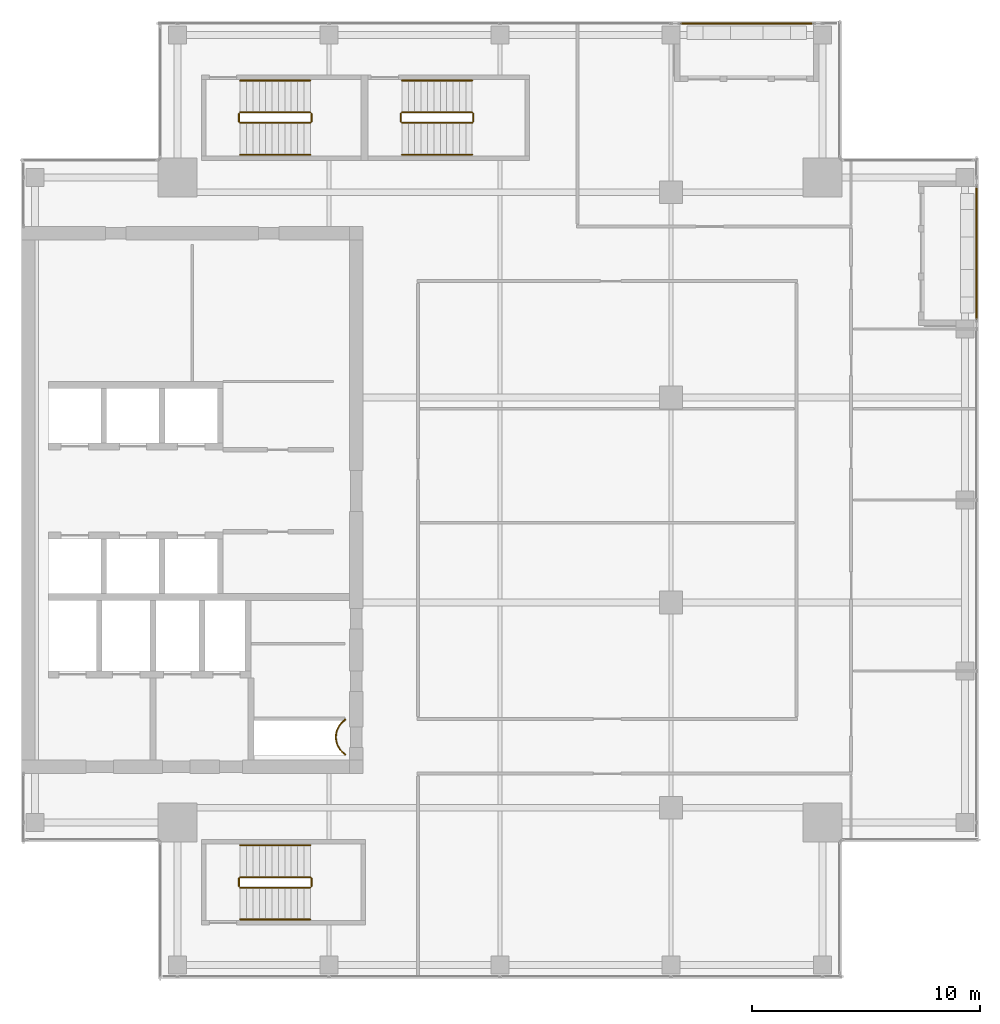
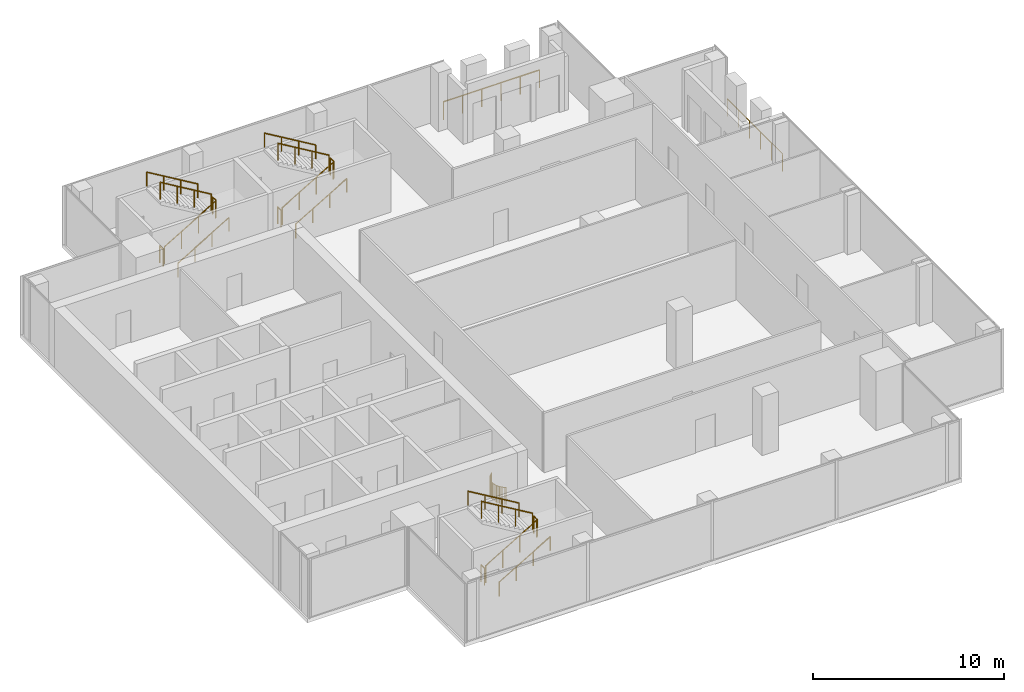
# One storey, part 28 of 29: 21 railings.
"""IFC4 building model written with IfcOpenShell, lengths in metres."""

from ifc_helpers import new_model, si_unit, direction, frame, origin, origin_2d, place, context, subcontext, project, spatial, circle, extrude, source, transform, mapped, material, type_object, element, save


model = new_model("IFC4")

# Units and contexts
model_context = context("Model", 3, precision=1e-05, world=origin(), true_north=direction((0.0, 1.0)))
body_context = subcontext(model_context, "Body", "Model", "MODEL_VIEW")
ifc_project = project(units=[si_unit("LENGTHUNIT", "METRE"), si_unit("AREAUNIT", "SQUARE_METRE"), si_unit("VOLUMEUNIT", "CUBIC_METRE"), si_unit("PLANEANGLEUNIT", "RADIAN"), si_unit("MASSUNIT", "GRAM", prefix="KILO")], contexts=[model_context])

# Site, building, storey
site_placement = place(None, origin())
site = spatial("IfcSite", under=ifc_project, at=site_placement, CompositionType="ELEMENT")
building_placement = place(site_placement, origin())
building = spatial("IfcBuilding", under=site, at=building_placement, Name="Khomas Fold Tower", CompositionType="ELEMENT")
storey_placement = place(building_placement, frame((0.0, 0.0, 314.199951171875)))
storey = spatial("IfcBuildingStorey", under=building, at=storey_placement, Name="L71", CompositionType="ELEMENT", Elevation=314.199951171875)

# Railings
ifc_material_1 = material(Name="Powder-coated steel", Category="steel")
railing_type_1 = type_object("IfcRailingType", Name="Balcony guard", PredefinedType="GUARDRAIL", material=ifc_material_1)
shared_shape_1 = source(origin(), body_context, "Body", "SweptSolid", [
    extrude(circle(Radius=0.02490234375, at=origin_2d()), frame((0.0, 0.0, 1.125), z_axis=(1.0, 0.0, 0.0), x_axis=(0.0, 1.0, 0.0)), (0.0, 0.0, 1.0), 5.7900390625),
    extrude(circle(Radius=0.02001953125, at=origin_2d()), origin(), (0.0, 0.0, 1.0), 1.099853515625),
    extrude(circle(Radius=0.02001953125, at=origin_2d()), frame((1.157958984375, 0.0, 0.0)), (0.0, 0.0, 1.0), 1.099853515625),
    extrude(circle(Radius=0.02001953125, at=origin_2d()), frame((2.31591796875, 0.0, 0.0)), (0.0, 0.0, 1.0), 1.099853515625),
    extrude(circle(Radius=0.02001953125, at=origin_2d()), frame((3.47412109375, 0.0, 0.0)), (0.0, 0.0, 1.0), 1.099853515625),
    extrude(circle(Radius=0.02001953125, at=origin_2d()), frame((4.632080078125, 0.0, 0.0)), (0.0, 0.0, 1.0), 1.099853515625),
    extrude(circle(Radius=0.02001953125, at=origin_2d()), frame((5.7900390625, 0.0, 0.0)), (0.0, 0.0, 1.0), 1.099853515625),
])
railing_1_placement = place(storey_placement, frame((34.929931640625, 47.89990234375, -0.044921875)))
element("IfcRailing", 1, at=railing_1_placement, inside=storey, type_object=railing_type_1, Name="Balcony guard BAL-L71-N4", PredefinedType="GUARDRAIL", context=body_context, shape_type="MappedRepresentation", body=[
    mapped(shared_shape_1, transform((0.0, 0.0, 0.0))),
])
shared_shape_2 = source(origin(), body_context, "Body", "SweptSolid", [
    extrude(circle(Radius=0.02490234375, at=origin_2d()), frame((0.0, 0.0, 1.125), z_axis=(0.0, 1.0, 0.0), x_axis=(-1.0, 0.0, 0.0)), (0.0, 0.0, 1.0), 5.7900390625),
    extrude(circle(Radius=0.02001953125, at=origin_2d()), origin(), (0.0, 0.0, 1.0), 1.099853515625),
    extrude(circle(Radius=0.02001953125, at=origin_2d()), frame((0.0, 1.157958984375, 0.0)), (0.0, 0.0, 1.0), 1.099853515625),
    extrude(circle(Radius=0.02001953125, at=origin_2d()), frame((0.0, 2.31591796875, 0.0)), (0.0, 0.0, 1.0), 1.099853515625),
    extrude(circle(Radius=0.02001953125, at=origin_2d()), frame((0.0, 3.47412109375, 0.0)), (0.0, 0.0, 1.0), 1.099853515625),
    extrude(circle(Radius=0.02001953125, at=origin_2d()), frame((0.0, 4.632080078125, 0.0)), (0.0, 0.0, 1.0), 1.099853515625),
    extrude(circle(Radius=0.02001953125, at=origin_2d()), frame((0.0, 5.7900390625, 0.0)), (0.0, 0.0, 1.0), 1.099853515625),
])
railing_2_placement = place(storey_placement, frame((47.89990234375, 34.929931640625, -0.044921875)))
element("IfcRailing", 2, at=railing_2_placement, inside=storey, type_object=railing_type_1, Name="Balcony guard BAL-L71-E4", PredefinedType="GUARDRAIL", context=body_context, shape_type="MappedRepresentation", body=[
    mapped(shared_shape_2, transform((0.0, 0.0, 0.0))),
])
ifc_material_2 = material(Name="Steel balustrade", Category="steel")
railing_type_2 = type_object("IfcRailingType", Name="Stair guard", PredefinedType="GUARDRAIL", material=ifc_material_2)
shared_shape_3 = source(origin(), body_context, "Body", "SweptSolid", [
    extrude(circle(Radius=0.02392578125, at=origin_2d()), frame((0.0, 0.0, 1.076171875), z_axis=(0.0, 1.0, 0.0), x_axis=(-1.0, 0.0, 0.0)), (0.0, 0.0, 1.0), 0.349853515625),
    extrude(circle(Radius=0.02099609375, at=origin_2d()), origin(), (0.0, 0.0, 1.0), 1.052001953125),
    extrude(circle(Radius=0.02099609375, at=origin_2d()), frame((0.0, 0.349853515625, 0.0)), (0.0, 0.0, 1.0), 1.052001953125),
])
for number, where, name in (
    (3, (18.72998046875, 43.60009765625, 2.0), "L71 ST1 stair guard 2"),
    (4, (15.550048828125, 43.60009765625, 0.0), "L71 ST1 stair guard 4"),
    (5, (18.72998046875, 10.050048828125, 2.0), "L71 ST2 stair guard 2"),
    (6, (15.550048828125, 10.050048828125, 0.0), "L71 ST2 stair guard 4"),
    (7, (25.830078125, 43.60009765625, 2.0), "L71 ST3 stair guard 2"),
    (8, (22.64990234375, 43.60009765625, 0.0), "L71 ST3 stair guard 4"),
):
    element("IfcRailing", number, at=place(storey_placement, frame(where)), inside=storey, type_object=railing_type_2, Name=name, PredefinedType="GUARDRAIL", context=body_context, shape_type="MappedRepresentation", body=[
        mapped(shared_shape_3, transform((0.0, 0.0, 0.0))),
    ])
shared_shape_4 = source(origin(), body_context, "Body", "SweptSolid", [
    extrude(circle(Radius=0.02392578125, at=origin_2d()), frame((0.0, 0.0, 1.076171875), z_axis=(0.859290745958, 0.0, 0.51148745235), x_axis=(0.0, 1.0, 0.0)), (0.0, 0.0, 1.0), 3.584228515625),
    extrude(circle(Radius=0.02099609375, at=origin_2d()), origin(), (0.0, 0.0, 1.0), 1.052001953125),
    extrude(circle(Radius=0.02099609375, at=origin_2d()), frame((1.026611328125, 0.0, 0.611083984375)), (0.0, 0.0, 1.0), 1.052001953125),
    extrude(circle(Radius=0.02099609375, at=origin_2d()), frame((2.05322265625, 0.0, 1.22216796875)), (0.0, 0.0, 1.0), 1.052001953125),
    extrude(circle(Radius=0.02099609375, at=origin_2d()), frame((3.079833984375, 0.0, 1.833251953125)), (0.0, 0.0, 1.0), 1.052001953125),
])
for number, where, name in (
    (9, (15.60009765625, 43.550048828125, 0.166748046875), "L71 ST1 stair guard 1"),
    (10, (15.60009765625, 10.0, 0.166748046875), "L71 ST2 stair guard 1"),
):
    element("IfcRailing", number, at=place(storey_placement, frame(where)), inside=storey, type_object=railing_type_2, Name=name, PredefinedType="GUARDRAIL", context=body_context, shape_type="MappedRepresentation", body=[
        mapped(shared_shape_4, transform((0.0, 0.0, 0.0))),
    ])
shared_shape_5 = source(origin(), body_context, "Body", "SweptSolid", [
    extrude(circle(Radius=0.02392578125, at=origin_2d()), frame((0.0, 0.0, 1.076171875), z_axis=(-0.859290745958, 0.0, 0.51148745235), x_axis=(0.0, -1.0, 0.0)), (0.0, 0.0, 1.0), 3.584228515625),
    extrude(circle(Radius=0.02099609375, at=origin_2d()), origin(), (0.0, 0.0, 1.0), 1.052001953125),
    extrude(circle(Radius=0.02099609375, at=origin_2d()), frame((-1.026611328125, 0.0, 0.611083984375)), (0.0, 0.0, 1.0), 1.052001953125),
    extrude(circle(Radius=0.02099609375, at=origin_2d()), frame((-2.05322265625, 0.0, 1.22216796875)), (0.0, 0.0, 1.0), 1.052001953125),
    extrude(circle(Radius=0.02099609375, at=origin_2d()), frame((-3.079833984375, 0.0, 1.833251953125)), (0.0, 0.0, 1.0), 1.052001953125),
])
for number, where, name in (
    (11, (18.679931640625, 44.0, 2.166748046875), "L71 ST1 stair guard 3"),
    (12, (18.679931640625, 10.449951171875, 2.166748046875), "L71 ST2 stair guard 3"),
):
    element("IfcRailing", number, at=place(storey_placement, frame(where)), inside=storey, type_object=railing_type_2, Name=name, PredefinedType="GUARDRAIL", context=body_context, shape_type="MappedRepresentation", body=[
        mapped(shared_shape_5, transform((0.0, 0.0, 0.0))),
    ])
ifc_material_3 = material(Name="Steel handrail", Category="steel")
railing_type_3 = type_object("IfcRailingType", Name="Stair handrail", PredefinedType="HANDRAIL", material=ifc_material_3)
shared_shape_6 = source(origin(), body_context, "Body", "SweptSolid", [
    extrude(circle(Radius=0.02392578125, at=origin_2d()), frame((0.0, 0.0, 0.8759765625), z_axis=(0.859290745958, 0.0, 0.51148745235), x_axis=(0.0, 1.0, 0.0)), (0.0, 0.0, 1.0), 3.584228515625),
    extrude(circle(Radius=0.02099609375, at=origin_2d()), origin(), (0.0, 0.0, 1.0), 0.851806640625),
    extrude(circle(Radius=0.02099609375, at=origin_2d()), frame((1.026611328125, 0.0, 0.611083984375)), (0.0, 0.0, 1.0), 0.851806640625),
    extrude(circle(Radius=0.02099609375, at=origin_2d()), frame((2.05322265625, 0.0, 1.22216796875)), (0.0, 0.0, 1.0), 0.851806640625),
    extrude(circle(Radius=0.02099609375, at=origin_2d()), frame((3.079833984375, 0.0, 1.833251953125)), (0.0, 0.0, 1.0), 0.851806640625),
])
for number, where, name in (
    (13, (15.60009765625, 42.14990234375, 0.166748046875), "L71 ST1 stair handrail 1"),
    (14, (15.60009765625, 8.60009765625, 0.166748046875), "L71 ST2 stair handrail 1"),
):
    element("IfcRailing", number, at=place(storey_placement, frame(where)), inside=storey, type_object=railing_type_3, Name=name, PredefinedType="HANDRAIL", context=body_context, shape_type="MappedRepresentation", body=[
        mapped(shared_shape_6, transform((0.0, 0.0, 0.0))),
    ])
shared_shape_7 = source(origin(), body_context, "Body", "SweptSolid", [
    extrude(circle(Radius=0.02392578125, at=origin_2d()), frame((0.0, 0.0, 0.8759765625), z_axis=(-0.859290745958, 0.0, 0.51148745235), x_axis=(0.0, -1.0, 0.0)), (0.0, 0.0, 1.0), 3.584228515625),
    extrude(circle(Radius=0.02099609375, at=origin_2d()), origin(), (0.0, 0.0, 1.0), 0.851806640625),
    extrude(circle(Radius=0.02099609375, at=origin_2d()), frame((-1.026611328125, 0.0, 0.611083984375)), (0.0, 0.0, 1.0), 0.851806640625),
    extrude(circle(Radius=0.02099609375, at=origin_2d()), frame((-2.05322265625, 0.0, 1.22216796875)), (0.0, 0.0, 1.0), 0.851806640625),
    extrude(circle(Radius=0.02099609375, at=origin_2d()), frame((-3.079833984375, 0.0, 1.833251953125)), (0.0, 0.0, 1.0), 0.851806640625),
])
for number, where, name in (
    (15, (18.679931640625, 45.39990234375, 2.166748046875), "L71 ST1 stair handrail 2"),
    (16, (18.679931640625, 11.85009765625, 2.166748046875), "L71 ST2 stair handrail 2"),
):
    element("IfcRailing", number, at=place(storey_placement, frame(where)), inside=storey, type_object=railing_type_3, Name=name, PredefinedType="HANDRAIL", context=body_context, shape_type="MappedRepresentation", body=[
        mapped(shared_shape_7, transform((0.0, 0.0, 0.0))),
    ])
shared_shape_8 = source(origin(), body_context, "Body", "SweptSolid", [
    extrude(circle(Radius=0.02392578125, at=origin_2d()), frame((0.0, 0.0, 1.076171875), z_axis=(0.859308565015, 0.0, 0.511457515432), x_axis=(0.0, 1.0, 0.0)), (0.0, 0.0, 1.0), 3.58447265625),
    extrude(circle(Radius=0.02099609375, at=origin_2d()), origin(), (0.0, 0.0, 1.0), 1.052001953125),
    extrude(circle(Radius=0.02099609375, at=origin_2d()), frame((1.026611328125, 0.0, 0.611083984375)), (0.0, 0.0, 1.0), 1.052001953125),
    extrude(circle(Radius=0.02099609375, at=origin_2d()), frame((2.053466796875, 0.0, 1.22216796875)), (0.0, 0.0, 1.0), 1.052001953125),
    extrude(circle(Radius=0.02099609375, at=origin_2d()), frame((3.080078125, 0.0, 1.833251953125)), (0.0, 0.0, 1.0), 1.052001953125),
])
railing_3_placement = place(storey_placement, frame((22.699951171875, 43.550048828125, 0.166748046875)))
element("IfcRailing", 17, at=railing_3_placement, inside=storey, type_object=railing_type_2, Name="L71 ST3 stair guard 1", PredefinedType="GUARDRAIL", context=body_context, shape_type="MappedRepresentation", body=[
    mapped(shared_shape_8, transform((0.0, 0.0, 0.0))),
])
shared_shape_9 = source(origin(), body_context, "Body", "SweptSolid", [
    extrude(circle(Radius=0.02392578125, at=origin_2d()), frame((0.0, 0.0, 1.076171875), z_axis=(-0.859308565015, 0.0, 0.511457515432), x_axis=(0.0, -1.0, 0.0)), (0.0, 0.0, 1.0), 3.58447265625),
    extrude(circle(Radius=0.02099609375, at=origin_2d()), origin(), (0.0, 0.0, 1.0), 1.052001953125),
    extrude(circle(Radius=0.02099609375, at=origin_2d()), frame((-1.026611328125, 0.0, 0.611083984375)), (0.0, 0.0, 1.0), 1.052001953125),
    extrude(circle(Radius=0.02099609375, at=origin_2d()), frame((-2.053466796875, 0.0, 1.22216796875)), (0.0, 0.0, 1.0), 1.052001953125),
    extrude(circle(Radius=0.02099609375, at=origin_2d()), frame((-3.080078125, 0.0, 1.833251953125)), (0.0, 0.0, 1.0), 1.052001953125),
])
railing_4_placement = place(storey_placement, frame((25.780029296875, 44.0, 2.166748046875)))
element("IfcRailing", 18, at=railing_4_placement, inside=storey, type_object=railing_type_2, Name="L71 ST3 stair guard 3", PredefinedType="GUARDRAIL", context=body_context, shape_type="MappedRepresentation", body=[
    mapped(shared_shape_9, transform((0.0, 0.0, 0.0))),
])
shared_shape_10 = source(origin(), body_context, "Body", "SweptSolid", [
    extrude(circle(Radius=0.02392578125, at=origin_2d()), frame((0.0, 0.0, 0.8759765625), z_axis=(0.859308565015, 0.0, 0.511457515432), x_axis=(0.0, 1.0, 0.0)), (0.0, 0.0, 1.0), 3.58447265625),
    extrude(circle(Radius=0.02099609375, at=origin_2d()), origin(), (0.0, 0.0, 1.0), 0.851806640625),
    extrude(circle(Radius=0.02099609375, at=origin_2d()), frame((1.026611328125, 0.0, 0.611083984375)), (0.0, 0.0, 1.0), 0.851806640625),
    extrude(circle(Radius=0.02099609375, at=origin_2d()), frame((2.053466796875, 0.0, 1.22216796875)), (0.0, 0.0, 1.0), 0.851806640625),
    extrude(circle(Radius=0.02099609375, at=origin_2d()), frame((3.080078125, 0.0, 1.833251953125)), (0.0, 0.0, 1.0), 0.851806640625),
])
railing_5_placement = place(storey_placement, frame((22.699951171875, 42.14990234375, 0.166748046875)))
element("IfcRailing", 19, at=railing_5_placement, inside=storey, type_object=railing_type_3, Name="L71 ST3 stair handrail 1", PredefinedType="HANDRAIL", context=body_context, shape_type="MappedRepresentation", body=[
    mapped(shared_shape_10, transform((0.0, 0.0, 0.0))),
])
shared_shape_11 = source(origin(), body_context, "Body", "SweptSolid", [
    extrude(circle(Radius=0.02392578125, at=origin_2d()), frame((0.0, 0.0, 0.8759765625), z_axis=(-0.859308565015, 0.0, 0.511457515432), x_axis=(0.0, -1.0, 0.0)), (0.0, 0.0, 1.0), 3.58447265625),
    extrude(circle(Radius=0.02099609375, at=origin_2d()), origin(), (0.0, 0.0, 1.0), 0.851806640625),
    extrude(circle(Radius=0.02099609375, at=origin_2d()), frame((-1.026611328125, 0.0, 0.611083984375)), (0.0, 0.0, 1.0), 0.851806640625),
    extrude(circle(Radius=0.02099609375, at=origin_2d()), frame((-2.053466796875, 0.0, 1.22216796875)), (0.0, 0.0, 1.0), 0.851806640625),
    extrude(circle(Radius=0.02099609375, at=origin_2d()), frame((-3.080078125, 0.0, 1.833251953125)), (0.0, 0.0, 1.0), 0.851806640625),
])
railing_6_placement = place(storey_placement, frame((25.780029296875, 45.39990234375, 2.166748046875)))
element("IfcRailing", 20, at=railing_6_placement, inside=storey, type_object=railing_type_3, Name="L71 ST3 stair handrail 2", PredefinedType="HANDRAIL", context=body_context, shape_type="MappedRepresentation", body=[
    mapped(shared_shape_11, transform((0.0, 0.0, 0.0))),
])
ifc_material_4 = material(Name="Steel balustrade", Category="steel")
railing_type_4 = type_object("IfcRailingType", Name="Shaft guard", PredefinedType="GUARDRAIL", material=ifc_material_4)
shared_shape_12 = source(origin(), body_context, "Body", "SweptSolid", [
    extrude(circle(Radius=0.02490234375, at=origin_2d()), frame((0.0, 0.0, 1.0751953125), z_axis=(0.0, -1.0, 0.0), x_axis=(1.0, 0.0, 0.0)), (0.0, 0.0, 1.0), 0.034912109375),
    extrude(circle(Radius=0.02490234375, at=origin_2d()), frame((0.0, -0.034912109375, 1.0751953125), z_axis=(-0.802970227885, -0.596019138224, 0.0), x_axis=(0.596019138224, -0.802970227885, 0.0)), (0.0, 0.0, 1.0), 0.08837890625),
    extrude(circle(Radius=0.02490234375, at=origin_2d()), frame((-0.071044921875, -0.087646484375, 1.0751953125), z_axis=(-0.739563952942, -0.673086294251, 0.0), x_axis=(0.673086294251, -0.739563952942, 0.0)), (0.0, 0.0, 1.0), 0.088134765625),
    extrude(circle(Radius=0.02490234375, at=origin_2d()), frame((-0.13623046875, -0.14697265625, 1.0751953125), z_axis=(-0.671709119666, -0.740814996175, 0.0), x_axis=(0.740814996175, -0.671709119666, 0.0)), (0.0, 0.0, 1.0), 0.08837890625),
    extrude(circle(Radius=0.02490234375, at=origin_2d()), frame((-0.195556640625, -0.21240234375, 1.0751953125), z_axis=(-0.597341843489, -0.801986734315, 0.0), x_axis=(0.801986734315, -0.597341843489, 0.0)), (0.0, 0.0, 1.0), 0.08837890625),
    extrude(circle(Radius=0.02490234375, at=origin_2d()), frame((-0.248291015625, -0.283203125, 1.0751953125), z_axis=(-0.514495755428, -0.857492925713, 0.0), x_axis=(0.857492925713, -0.514495755428, 0.0)), (0.0, 0.0, 1.0), 0.08837890625),
    extrude(circle(Radius=0.02490234375, at=origin_2d()), frame((-0.293701171875, -0.35888671875, 1.0751953125), z_axis=(-0.427256721383, -0.904130352346, 0.0), x_axis=(0.904130352346, -0.427256721383, 0.0)), (0.0, 0.0, 1.0), 0.088623046875),
    extrude(circle(Radius=0.02490234375, at=origin_2d()), frame((-0.33154296875, -0.43896484375, 1.0751953125), z_axis=(-0.335282981086, -0.942117467514, 0.0), x_axis=(0.942117467514, -0.335282981086, 0.0)), (0.0, 0.0, 1.0), 0.088134765625),
    extrude(circle(Radius=0.02490234375, at=origin_2d()), frame((-0.361083984375, -0.52197265625, 1.0751953125), z_axis=(-0.243185799972, -0.969979724887, 0.0), x_axis=(0.969979724887, -0.243185799972, 0.0)), (0.0, 0.0, 1.0), 0.08837890625),
    extrude(circle(Radius=0.02490234375, at=origin_2d()), frame((-0.382568359375, -0.607666015625, 1.0751953125), z_axis=(-0.149150785005, -0.988814463553, 0.0), x_axis=(0.988814463553, -0.149150785005, 0.0)), (0.0, 0.0, 1.0), 0.08837890625),
    extrude(circle(Radius=0.02490234375, at=origin_2d()), frame((-0.395751953125, -0.695068359375, 1.0751953125), z_axis=(-0.047039284441, -0.99889304018, 0.0), x_axis=(0.99889304018, -0.047039284441, 0.0)), (0.0, 0.0, 1.0), 0.088134765625),
    extrude(circle(Radius=0.02490234375, at=origin_2d()), frame((-0.39990234375, -0.783203125, 1.0751953125), z_axis=(0.046909628002, -0.998899137451, 0.0), x_axis=(0.998899137451, 0.046909628002, 0.0)), (0.0, 0.0, 1.0), 0.08837890625),
    extrude(circle(Radius=0.02490234375, at=origin_2d()), frame((-0.395751953125, -0.87158203125, 1.0751953125), z_axis=(0.149150785005, -0.988814463553, 0.0), x_axis=(0.988814463553, 0.149150785005, 0.0)), (0.0, 0.0, 1.0), 0.08837890625),
    extrude(circle(Radius=0.02490234375, at=origin_2d()), frame((-0.382568359375, -0.958984375, 1.0751953125), z_axis=(0.243185799972, -0.969979724887, 0.0), x_axis=(0.969979724887, 0.243185799972, 0.0)), (0.0, 0.0, 1.0), 0.08837890625),
    extrude(circle(Radius=0.02490234375, at=origin_2d()), frame((-0.361083984375, -1.044677734375, 1.0751953125), z_axis=(0.335282981086, -0.942117467514, 0.0), x_axis=(0.942117467514, 0.335282981086, 0.0)), (0.0, 0.0, 1.0), 0.088134765625),
    extrude(circle(Radius=0.02490234375, at=origin_2d()), frame((-0.33154296875, -1.127685546875, 1.0751953125), z_axis=(0.428323905606, -0.903625271828, 0.0), x_axis=(0.903625271828, 0.428323905606, 0.0)), (0.0, 0.0, 1.0), 0.08837890625),
    extrude(circle(Radius=0.02490234375, at=origin_2d()), frame((-0.293701171875, -1.20751953125, 1.0751953125), z_axis=(0.514495755428, -0.857492925713, 0.0), x_axis=(0.857492925713, 0.514495755428, 0.0)), (0.0, 0.0, 1.0), 0.08837890625),
    extrude(circle(Radius=0.02490234375, at=origin_2d()), frame((-0.248291015625, -1.283203125, 1.0751953125), z_axis=(0.596019138224, -0.802970227885, 0.0), x_axis=(0.802970227885, 0.596019138224, 0.0)), (0.0, 0.0, 1.0), 0.08837890625),
    extrude(circle(Radius=0.02490234375, at=origin_2d()), frame((-0.195556640625, -1.354248046875, 1.0751953125), z_axis=(0.671709119666, -0.740814996175, 0.0), x_axis=(0.740814996175, 0.671709119666, 0.0)), (0.0, 0.0, 1.0), 0.08837890625),
    extrude(circle(Radius=0.02490234375, at=origin_2d()), frame((-0.13623046875, -1.419677734375, 1.0751953125), z_axis=(0.739563952942, -0.673086294251, 0.0), x_axis=(0.673086294251, 0.739563952942, 0.0)), (0.0, 0.0, 1.0), 0.088134765625),
    extrude(circle(Radius=0.02490234375, at=origin_2d()), frame((-0.071044921875, -1.47900390625, 1.0751953125), z_axis=(0.804291006819, -0.594235623595, 0.0), x_axis=(0.594235623595, 0.804291006819, 0.0)), (0.0, 0.0, 1.0), 0.08837890625),
    extrude(circle(Radius=0.02490234375, at=origin_2d()), frame((0.0, -1.531494140625, 1.0751953125), z_axis=(0.0, -1.0, 0.0), x_axis=(1.0, 0.0, 0.0)), (0.0, 0.0, 1.0), 0.03515625),
    extrude(circle(Radius=0.02001953125, at=origin_2d()), origin(), (0.0, 0.0, 1.0), 1.050048828125),
    extrude(circle(Radius=0.02001953125, at=origin_2d()), frame((0.0, -0.034912109375, 0.0)), (0.0, 0.0, 1.0), 1.050048828125),
    extrude(circle(Radius=0.02001953125, at=origin_2d()), frame((-0.071044921875, -0.087646484375, 0.0)), (0.0, 0.0, 1.0), 1.050048828125),
    extrude(circle(Radius=0.02001953125, at=origin_2d()), frame((-0.13623046875, -0.14697265625, 0.0)), (0.0, 0.0, 1.0), 1.050048828125),
    extrude(circle(Radius=0.02001953125, at=origin_2d()), frame((-0.195556640625, -0.21240234375, 0.0)), (0.0, 0.0, 1.0), 1.050048828125),
    extrude(circle(Radius=0.02001953125, at=origin_2d()), frame((-0.248291015625, -0.283203125, 0.0)), (0.0, 0.0, 1.0), 1.050048828125),
    extrude(circle(Radius=0.02001953125, at=origin_2d()), frame((-0.293701171875, -0.35888671875, 0.0)), (0.0, 0.0, 1.0), 1.050048828125),
    extrude(circle(Radius=0.02001953125, at=origin_2d()), frame((-0.33154296875, -0.43896484375, 0.0)), (0.0, 0.0, 1.0), 1.050048828125),
    extrude(circle(Radius=0.02001953125, at=origin_2d()), frame((-0.361083984375, -0.52197265625, 0.0)), (0.0, 0.0, 1.0), 1.050048828125),
    extrude(circle(Radius=0.02001953125, at=origin_2d()), frame((-0.382568359375, -0.607666015625, 0.0)), (0.0, 0.0, 1.0), 1.050048828125),
    extrude(circle(Radius=0.02001953125, at=origin_2d()), frame((-0.395751953125, -0.695068359375, 0.0)), (0.0, 0.0, 1.0), 1.050048828125),
    extrude(circle(Radius=0.02001953125, at=origin_2d()), frame((-0.39990234375, -0.783203125, 0.0)), (0.0, 0.0, 1.0), 1.050048828125),
    extrude(circle(Radius=0.02001953125, at=origin_2d()), frame((-0.395751953125, -0.87158203125, 0.0)), (0.0, 0.0, 1.0), 1.050048828125),
    extrude(circle(Radius=0.02001953125, at=origin_2d()), frame((-0.382568359375, -0.958984375, 0.0)), (0.0, 0.0, 1.0), 1.050048828125),
    extrude(circle(Radius=0.02001953125, at=origin_2d()), frame((-0.361083984375, -1.044677734375, 0.0)), (0.0, 0.0, 1.0), 1.050048828125),
    extrude(circle(Radius=0.02001953125, at=origin_2d()), frame((-0.33154296875, -1.127685546875, 0.0)), (0.0, 0.0, 1.0), 1.050048828125),
    extrude(circle(Radius=0.02001953125, at=origin_2d()), frame((-0.293701171875, -1.20751953125, 0.0)), (0.0, 0.0, 1.0), 1.050048828125),
    extrude(circle(Radius=0.02001953125, at=origin_2d()), frame((-0.248291015625, -1.283203125, 0.0)), (0.0, 0.0, 1.0), 1.050048828125),
    extrude(circle(Radius=0.02001953125, at=origin_2d()), frame((-0.195556640625, -1.354248046875, 0.0)), (0.0, 0.0, 1.0), 1.050048828125),
    extrude(circle(Radius=0.02001953125, at=origin_2d()), frame((-0.13623046875, -1.419677734375, 0.0)), (0.0, 0.0, 1.0), 1.050048828125),
    extrude(circle(Radius=0.02001953125, at=origin_2d()), frame((-0.071044921875, -1.47900390625, 0.0)), (0.0, 0.0, 1.0), 1.050048828125),
    extrude(circle(Radius=0.02001953125, at=origin_2d()), frame((0.0, -1.531494140625, 0.0)), (0.0, 0.0, 1.0), 1.050048828125),
    extrude(circle(Radius=0.02001953125, at=origin_2d()), frame((0.0, -1.566650390625, 0.0)), (0.0, 0.0, 1.0), 1.050048828125),
])
railing_7_placement = place(storey_placement, frame((20.199951171875, 17.38330078125, 0.0)))
element("IfcRailing", 21, at=railing_7_placement, inside=storey, type_object=railing_type_4, Name="Shaft guard L71 1", PredefinedType="GUARDRAIL", context=body_context, shape_type="MappedRepresentation", body=[
    mapped(shared_shape_12, transform((0.0, 0.0, 0.0))),
])

save(model, "model.ifc")
